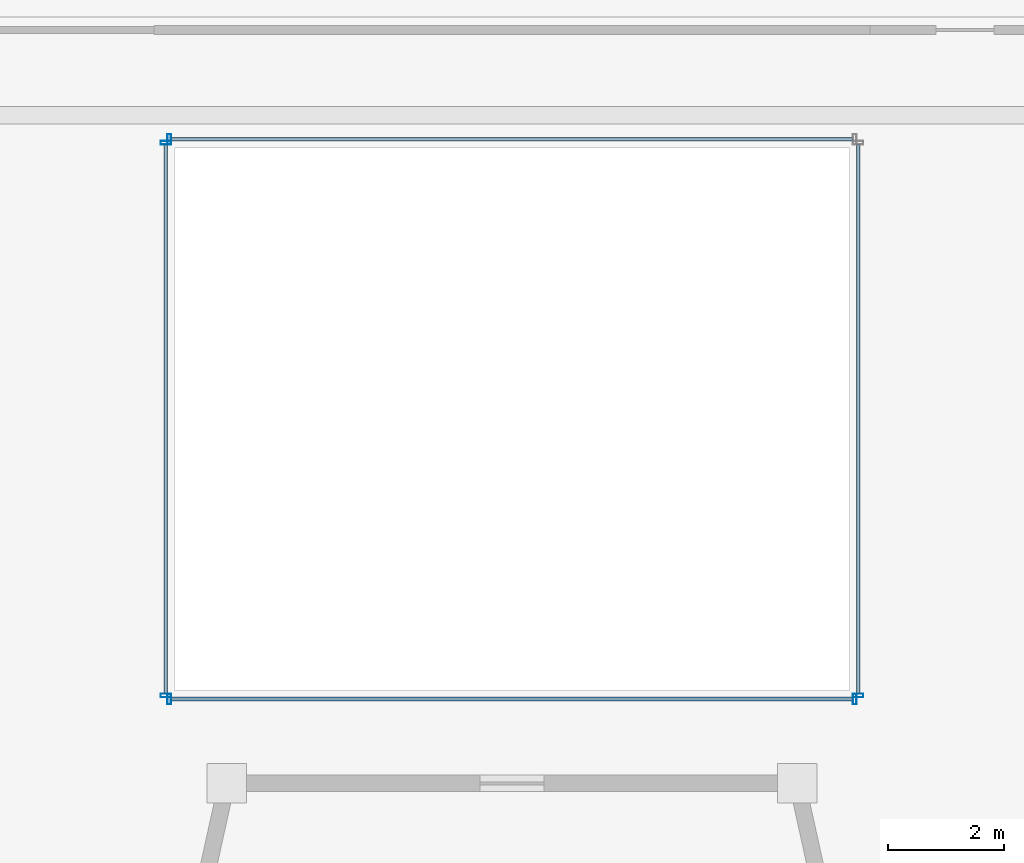
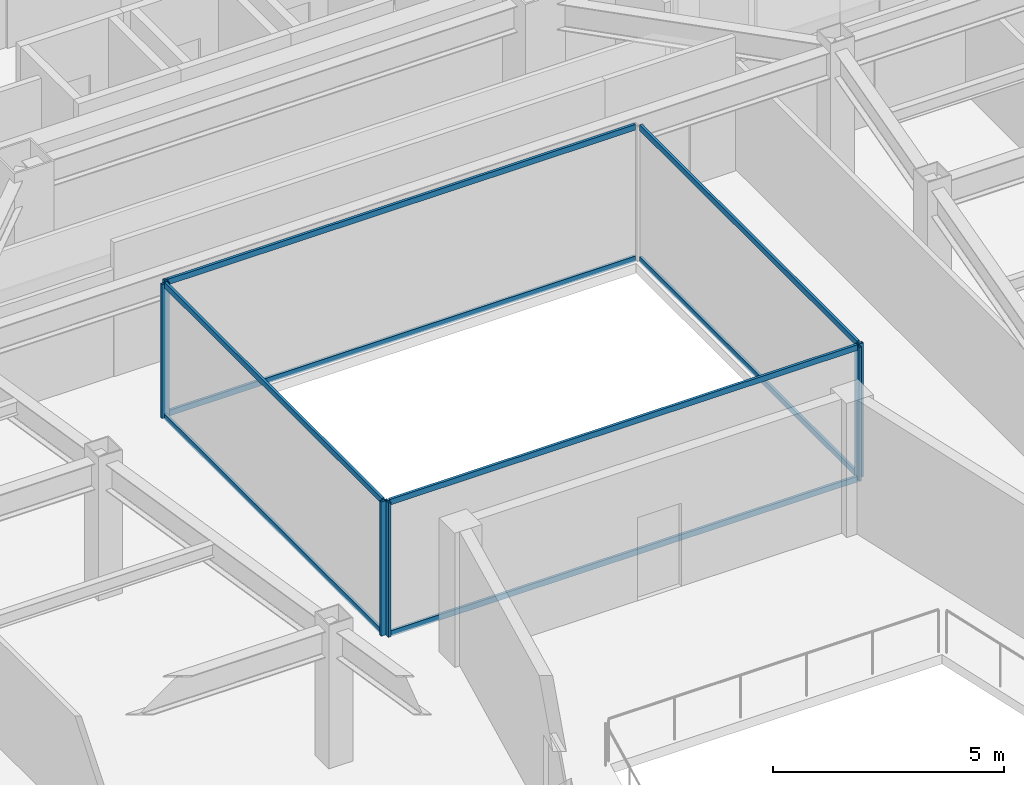
# One storey, part 6 of 31: 14 members, 4 elements without a shape of their own.
"""IFC4 building model written with IfcOpenShell, lengths in metres."""

from ifc_helpers import new_model, si_unit, direction, frame, origin, origin_2d, place, context, subcontext, project, spatial, hollow_rectangle, extrude, material, material_profile, profile_set, type_object, element, aggregate, save


model = new_model("IFC4")

# Units and contexts
model_context = context("Model", 3, precision=1e-05, world=origin(), true_north=direction((0.0, 1.0)))
body_context = subcontext(model_context, "Body", "Model", "MODEL_VIEW")
ifc_project = project(units=[si_unit("LENGTHUNIT", "METRE"), si_unit("AREAUNIT", "SQUARE_METRE"), si_unit("VOLUMEUNIT", "CUBIC_METRE"), si_unit("PLANEANGLEUNIT", "RADIAN"), si_unit("MASSUNIT", "GRAM", prefix="KILO")], contexts=[model_context])

# Site, building, storey
site_placement = place(None, origin())
site = spatial("IfcSite", under=ifc_project, at=site_placement, CompositionType="ELEMENT")
building_placement = place(site_placement, origin())
building = spatial("IfcBuilding", under=site, at=building_placement, Name="Saevonmaru Cultural Tower", CompositionType="ELEMENT")
storey_placement = place(building_placement, frame((0.0, 0.0, 167.60009765625)))
storey = spatial("IfcBuildingStorey", under=building, at=storey_placement, Name="L37", CompositionType="ELEMENT", Elevation=167.60009765625)

# Curtain wall, members
ifc_material = material(Name="Satin Bronze Anodised Aluminium", Category="aluminium")
curtain_wall_type = type_object("IfcCurtainWallType", Name="CW-ATR-GLZ", PredefinedType="NOTDEFINED", material=ifc_material)
curtain_wall_1_placement = place(storey_placement, origin())
curtain_wall_1 = element("IfcCurtainWall", 1, at=curtain_wall_1_placement, inside=storey, type_object=curtain_wall_type, Name="L37 Vertical Atrium Glazed Smoke Screen 1", PredefinedType="NOTDEFINED")
ifc_material_profile_1 = material_profile(ifc_material, hollow_rectangle(XDim=0.06494140625, YDim=0.179931640625, WallThickness=0.00390625, at=origin_2d()), Name="ALU-MULL-180x65x4")
ifc_profile_set_1 = profile_set([ifc_material_profile_1], Name="Satin Bronze Anodised Aluminium")
member_type_1 = type_object("IfcMemberType", Name="ML-CW-INT-180x65", PredefinedType="MULLION", material=ifc_profile_set_1)
member_1_placement = place(storey_placement, frame((24.110107421875, 27.449951171875, 0.0), z_axis=(0.0, 0.0, 1.0), x_axis=(1.0, 0.0, 0.0)))
member_1 = element("IfcMember", 2, at=member_1_placement, type_object=member_type_1, Name="CW-ATR-L37-1 mullion 1", PredefinedType="MULLION", context=body_context, shape_type="SweptSolid", body=[
    extrude(hollow_rectangle(XDim=0.06494140625, YDim=0.179931640625, WallThickness=0.00390625, at=origin_2d()), origin(), (0.0, 0.0, 1.0), 3.5498046875),
])
member_2_placement = place(storey_placement, frame((35.889892578125, 27.449951171875, 0.0), z_axis=(0.0, 0.0, 1.0), x_axis=(1.0, 0.0, 0.0)))
member_2 = element("IfcMember", 3, at=member_2_placement, type_object=member_type_1, Name="CW-ATR-L37-1 mullion 2", PredefinedType="MULLION", context=body_context, shape_type="SweptSolid", body=[
    extrude(hollow_rectangle(XDim=0.06494140625, YDim=0.179931640625, WallThickness=0.00390625, at=origin_2d()), origin(), (0.0, 0.0, 1.0), 3.5498046875),
])

# Curtain wall, member
curtain_wall_2_placement = place(storey_placement, origin())
curtain_wall_2 = element("IfcCurtainWall", 4, at=curtain_wall_2_placement, inside=storey, type_object=curtain_wall_type, Name="L37 Vertical Atrium Glazed Smoke Screen 2", PredefinedType="NOTDEFINED")
member_3_placement = place(storey_placement, frame((35.949951171875, 27.510009765625, 0.0), z_axis=(0.0, 0.0, 1.0), x_axis=(0.0, 1.0, 0.0)))
member_3 = element("IfcMember", 5, at=member_3_placement, type_object=member_type_1, Name="CW-ATR-L37-2 mullion 1", PredefinedType="MULLION", context=body_context, shape_type="SweptSolid", body=[
    extrude(hollow_rectangle(XDim=0.06494140625, YDim=0.179931640625, WallThickness=0.00390625, at=origin_2d()), origin(), (0.0, 0.0, 1.0), 3.5498046875),
])

curtain_wall_3_placement = place(storey_placement, origin())
curtain_wall_3 = element("IfcCurtainWall", 6, at=curtain_wall_3_placement, inside=storey, type_object=curtain_wall_type, Name="L37 Vertical Atrium Glazed Smoke Screen 3", PredefinedType="NOTDEFINED")
member_4_placement = place(storey_placement, frame((24.110107421875, 37.070068359375, 0.0), z_axis=(0.0, 0.0, 1.0), x_axis=(-1.0, 0.0, 0.0)))
member_4 = element("IfcMember", 7, at=member_4_placement, type_object=member_type_1, Name="CW-ATR-L37-3 mullion 2", PredefinedType="MULLION", context=body_context, shape_type="SweptSolid", body=[
    extrude(hollow_rectangle(XDim=0.06494140625, YDim=0.179931640625, WallThickness=0.00390625, at=origin_2d()), origin(), (0.0, 0.0, 1.0), 3.5498046875),
])

# Curtain wall, members
curtain_wall_4_placement = place(storey_placement, origin())
curtain_wall_4 = element("IfcCurtainWall", 8, at=curtain_wall_4_placement, inside=storey, type_object=curtain_wall_type, Name="L37 Vertical Atrium Glazed Smoke Screen 4", PredefinedType="NOTDEFINED")
member_5_placement = place(storey_placement, frame((24.050048828125, 37.010009765625, 0.0), z_axis=(0.0, 0.0, 1.0), x_axis=(0.0, -1.0, 0.0)))
member_5 = element("IfcMember", 9, at=member_5_placement, type_object=member_type_1, Name="CW-ATR-L37-4 mullion 1", PredefinedType="MULLION", context=body_context, shape_type="SweptSolid", body=[
    extrude(hollow_rectangle(XDim=0.06494140625, YDim=0.179931640625, WallThickness=0.00390625, at=origin_2d()), origin(), (0.0, 0.0, 1.0), 3.5498046875),
])
member_6_placement = place(storey_placement, frame((24.050048828125, 27.510009765625, 0.0), z_axis=(0.0, 0.0, 1.0), x_axis=(0.0, -1.0, 0.0)))
member_6 = element("IfcMember", 10, at=member_6_placement, type_object=member_type_1, Name="CW-ATR-L37-4 mullion 2", PredefinedType="MULLION", context=body_context, shape_type="SweptSolid", body=[
    extrude(hollow_rectangle(XDim=0.06494140625, YDim=0.179931640625, WallThickness=0.00390625, at=origin_2d()), origin(), (0.0, 0.0, 1.0), 3.5498046875),
])

# Member
ifc_material_profile_2 = material_profile(ifc_material, hollow_rectangle(XDim=0.06494140625, YDim=0.14990234375, WallThickness=0.00390625, at=origin_2d()), Name="ALU-TRAN-150x65x4")
ifc_profile_set_2 = profile_set([ifc_material_profile_2], Name="Satin Bronze Anodised Aluminium")
member_type_2 = type_object("IfcMemberType", Name="TR-CW-INT-150x65", PredefinedType="USERDEFINED", material=ifc_profile_set_2)
member_7_placement = place(storey_placement, frame((24.142578125, 27.449951171875, 0.032470703125), z_axis=(1.0, 0.0, 0.0), x_axis=(0.0, 1.0, 0.0)))
member_7 = element("IfcMember", 11, at=member_7_placement, type_object=member_type_2, Name="CW-ATR-L37-1 transom 1.1", ObjectType="TRANSOM", PredefinedType="USERDEFINED", context=body_context, shape_type="SweptSolid", body=[
    extrude(hollow_rectangle(XDim=0.06494140625, YDim=0.14990234375, WallThickness=0.00390625, at=origin_2d()), origin(), (0.0, 0.0, 1.0), 11.71484375),
])

member_8_placement = place(storey_placement, frame((24.142578125, 27.449951171875, 3.517333984375), z_axis=(1.0, 0.0, 0.0), x_axis=(0.0, 1.0, 0.0)))
member_8 = element("IfcMember", 12, at=member_8_placement, type_object=member_type_2, Name="CW-ATR-L37-1 transom 1.2", ObjectType="TRANSOM", PredefinedType="USERDEFINED", context=body_context, shape_type="SweptSolid", body=[
    extrude(hollow_rectangle(XDim=0.06494140625, YDim=0.14990234375, WallThickness=0.00390625, at=origin_2d()), origin(), (0.0, 0.0, 1.0), 11.71484375),
])

aggregate(curtain_wall_1, [member_1, member_2, member_7, member_8])

member_9_placement = place(storey_placement, frame((35.949951171875, 27.54248046875, 0.032470703125), z_axis=(0.0, 1.0, 0.0), x_axis=(-1.0, 0.0, 0.0)))
member_9 = element("IfcMember", 13, at=member_9_placement, type_object=member_type_2, Name="CW-ATR-L37-2 transom 1.1", ObjectType="TRANSOM", PredefinedType="USERDEFINED", context=body_context, shape_type="SweptSolid", body=[
    extrude(hollow_rectangle(XDim=0.06494140625, YDim=0.14990234375, WallThickness=0.00390625, at=origin_2d()), origin(), (0.0, 0.0, 1.0), 9.43505859375),
])

member_10_placement = place(storey_placement, frame((35.949951171875, 27.54248046875, 3.517333984375), z_axis=(0.0, 1.0, 0.0), x_axis=(-1.0, 0.0, 0.0)))
member_10 = element("IfcMember", 14, at=member_10_placement, type_object=member_type_2, Name="CW-ATR-L37-2 transom 1.2", ObjectType="TRANSOM", PredefinedType="USERDEFINED", context=body_context, shape_type="SweptSolid", body=[
    extrude(hollow_rectangle(XDim=0.06494140625, YDim=0.14990234375, WallThickness=0.00390625, at=origin_2d()), origin(), (0.0, 0.0, 1.0), 9.43505859375),
])

aggregate(curtain_wall_2, [member_3, member_9, member_10])

member_11_placement = place(storey_placement, frame((35.857421875, 37.070068359375, 0.032470703125), z_axis=(-1.0, 0.0, 0.0), x_axis=(0.0, -1.0, 0.0)))
member_11 = element("IfcMember", 15, at=member_11_placement, type_object=member_type_2, Name="CW-ATR-L37-3 transom 1.1", ObjectType="TRANSOM", PredefinedType="USERDEFINED", context=body_context, shape_type="SweptSolid", body=[
    extrude(hollow_rectangle(XDim=0.06494140625, YDim=0.14990234375, WallThickness=0.00390625, at=origin_2d()), origin(), (0.0, 0.0, 1.0), 11.71484375),
])

member_12_placement = place(storey_placement, frame((35.857421875, 37.070068359375, 3.517333984375), z_axis=(-1.0, 0.0, 0.0), x_axis=(0.0, -1.0, 0.0)))
member_12 = element("IfcMember", 16, at=member_12_placement, type_object=member_type_2, Name="CW-ATR-L37-3 transom 1.2", ObjectType="TRANSOM", PredefinedType="USERDEFINED", context=body_context, shape_type="SweptSolid", body=[
    extrude(hollow_rectangle(XDim=0.06494140625, YDim=0.14990234375, WallThickness=0.00390625, at=origin_2d()), origin(), (0.0, 0.0, 1.0), 11.71484375),
])

aggregate(curtain_wall_3, [member_4, member_11, member_12])

member_13_placement = place(storey_placement, frame((24.050048828125, 36.9775390625, 0.032470703125), z_axis=(0.0, -1.0, 0.0), x_axis=(1.0, 0.0, 0.0)))
member_13 = element("IfcMember", 17, at=member_13_placement, type_object=member_type_2, Name="CW-ATR-L37-4 transom 1.1", ObjectType="TRANSOM", PredefinedType="USERDEFINED", context=body_context, shape_type="SweptSolid", body=[
    extrude(hollow_rectangle(XDim=0.06494140625, YDim=0.14990234375, WallThickness=0.00390625, at=origin_2d()), origin(), (0.0, 0.0, 1.0), 9.43505859375),
])

member_14_placement = place(storey_placement, frame((24.050048828125, 36.9775390625, 3.517333984375), z_axis=(0.0, -1.0, 0.0), x_axis=(1.0, 0.0, 0.0)))
member_14 = element("IfcMember", 18, at=member_14_placement, type_object=member_type_2, Name="CW-ATR-L37-4 transom 1.2", ObjectType="TRANSOM", PredefinedType="USERDEFINED", context=body_context, shape_type="SweptSolid", body=[
    extrude(hollow_rectangle(XDim=0.06494140625, YDim=0.14990234375, WallThickness=0.00390625, at=origin_2d()), origin(), (0.0, 0.0, 1.0), 9.43505859375),
])

aggregate(curtain_wall_4, [member_5, member_6, member_13, member_14])

save(model, "model.ifc")
